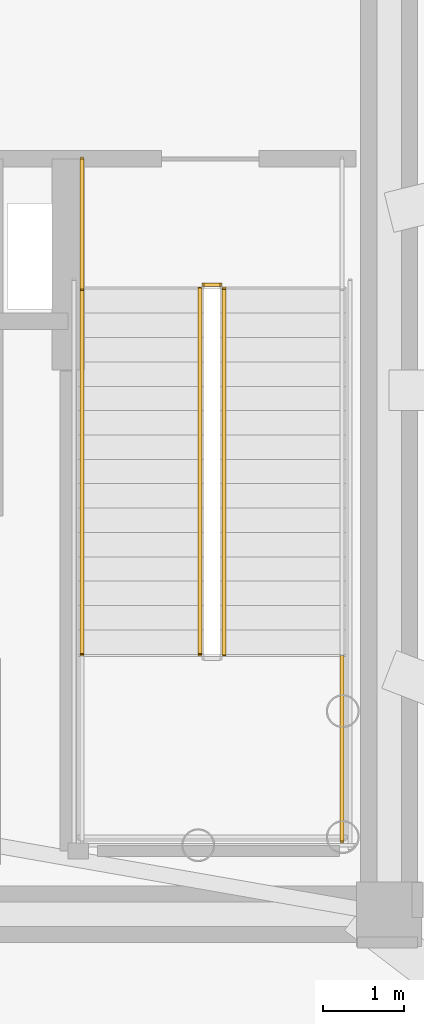
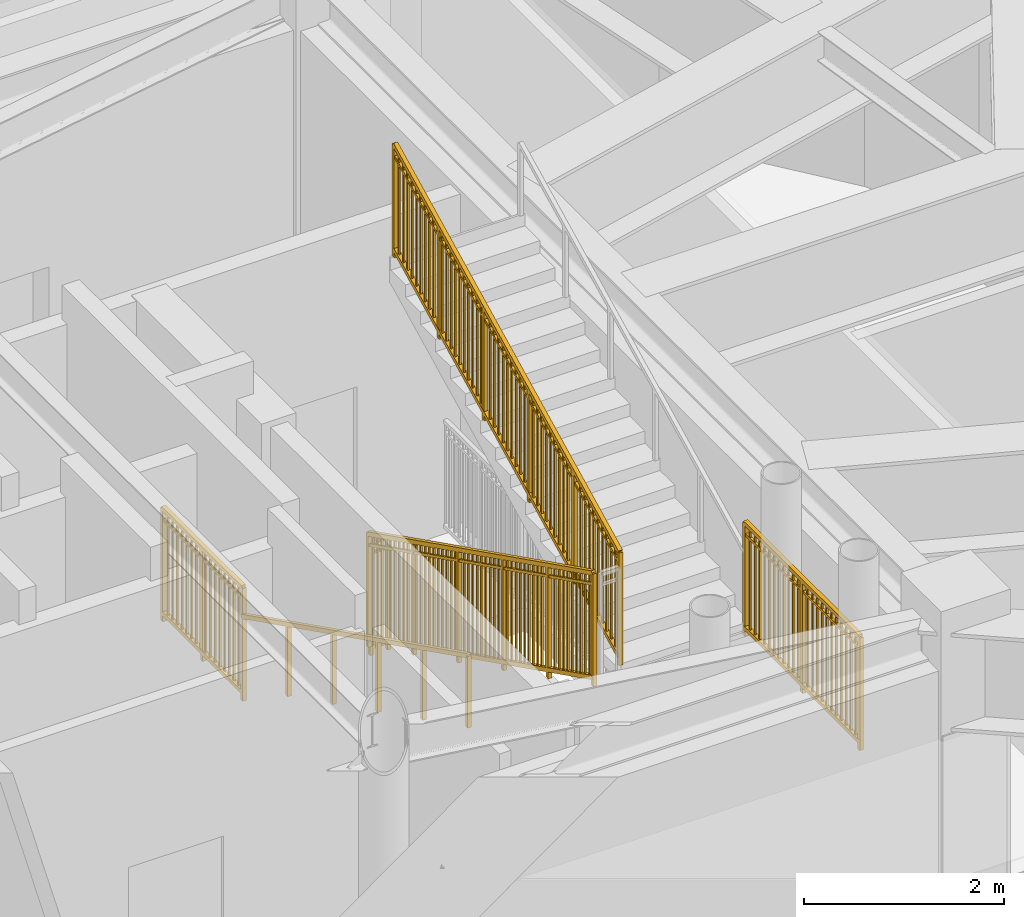
# One storey, part 9 of 11: 6 railings.
"""IFC4 building model written with IfcOpenShell, lengths in metres."""

import ifcopenshell
import ifcopenshell.guid

model = None  # the IFC model being written
_history = None  # IfcOwnerHistory: only IFC2X3 demands one
_inside = {}  # id of a spatial element -> (the spatial element, [elements in it])
_under = {}  # id of a project, library or spatial element -> (it, [spatial elements below it])
_declared = {}  # id of a project -> (the project, [libraries it declares])
_typed = {}  # id of a type object -> (the type object, [elements of that type])
_made_of = {}  # id of a material, layer set ... -> (it, [elements and type objects made of it])


def new_model(schema):
    """Start an empty IFC model of exactly this schema.

    Asked for "IFC4X3", IfcOpenShell would pick the latest addendum, in which some entities
    have other attributes; the version numbers below select the first issue.
    IFC2X3 requires an IfcOwnerHistory on every rooted entity: one is made here for all.
    """
    global model, _history
    if schema == "IFC4X3":
        model = ifcopenshell.file(schema_version=(4, 3, 0, 0))
    else:
        model = ifcopenshell.file(schema=schema)
    _inside.clear()
    _under.clear()
    _declared.clear()
    _typed.clear()
    _made_of.clear()
    _history = None
    if model.schema == "IFC2X3":
        org = make("IfcOrganization", Name="unknown")
        user = make(
            "IfcPersonAndOrganization",
            ThePerson=make("IfcPerson", FamilyName="unknown"),
            TheOrganization=org,
        )
        app = make(
            "IfcApplication",
            ApplicationDeveloper=org,
            Version="unknown",
            ApplicationFullName="unknown",
            ApplicationIdentifier="unknown",
        )
        _history = make(
            "IfcOwnerHistory",
            OwningUser=user,
            OwningApplication=app,
            ChangeAction="ADDED",
            CreationDate=0,
        )
    return model


def make(cls, **values):
    """One entity of the class cls with the attributes given. An attribute that is None is left unset."""
    return model.create_entity(
        cls, **{name: value for name, value in values.items() if value is not None}
    )


def rooted(cls, **values):
    """An entity with a GlobalId (a new one), such as an element, a storey or a relation."""
    return make(cls, GlobalId=ifcopenshell.guid.new(), OwnerHistory=_history, **values)


def si_unit(unit_type, name, prefix=None):
    """IfcSIUnit, for example si_unit("LENGTHUNIT", "METRE", prefix="MILLI")."""
    return make("IfcSIUnit", UnitType=unit_type, Prefix=prefix, Name=name)


def assignment(units):
    """IfcUnitAssignment: the units of a project."""
    return None if units is None else make("IfcUnitAssignment", Units=units)


def point(xyz):
    """IfcCartesianPoint."""
    return None if xyz is None else make("IfcCartesianPoint", Coordinates=xyz)


def direction(xyz):
    """IfcDirection."""
    return None if xyz is None else make("IfcDirection", DirectionRatios=xyz)


def frame(location, z_axis=None, x_axis=None):
    """IfcAxis2Placement3D, a coordinate frame: its origin and axes. An axis left out is left unset."""
    return make(
        "IfcAxis2Placement3D",
        Location=point(location),
        Axis=direction(z_axis),
        RefDirection=direction(x_axis),
    )


def frame_2d(location, x_axis=None):
    """IfcAxis2Placement2D, a coordinate frame in the plane: its origin and x axis."""
    return make(
        "IfcAxis2Placement2D", Location=point(location), RefDirection=direction(x_axis)
    )


def origin():
    """The frame at (0, 0, 0) with its axes left unset."""
    return frame((0.0, 0.0, 0.0))


def origin_2d():
    """The frame at (0, 0) in the plane with its x axis left unset."""
    return frame_2d((0.0, 0.0))


def place(relative_to, where):
    """IfcLocalPlacement: puts the frame where relative to a parent placement (None: the world)."""
    return make(
        "IfcLocalPlacement", PlacementRelTo=relative_to, RelativePlacement=where
    )


def context(
    kind, dimensions, precision=None, world=None, true_north=None, identifier=None
):
    """IfcGeometricRepresentationContext, for example the 3D "Model" context."""
    return make(
        "IfcGeometricRepresentationContext",
        ContextIdentifier=identifier,
        ContextType=kind,
        CoordinateSpaceDimension=dimensions,
        Precision=precision,
        WorldCoordinateSystem=world,
        TrueNorth=true_north,
    )


def subcontext(parent, identifier, kind, view, scale=None):
    """IfcGeometricRepresentationSubContext, for example "Body" below "Model"."""
    return make(
        "IfcGeometricRepresentationSubContext",
        ContextIdentifier=identifier,
        ContextType=kind,
        ParentContext=parent,
        TargetScale=scale,
        TargetView=view,
    )


def project(units=None, contexts=None):
    """IfcProject with its units and contexts."""
    return rooted(
        "IfcProject",
        Name="project",
        RepresentationContexts=contexts,
        UnitsInContext=assignment(units),
    )


def spatial(cls, under=None, at=None, **own):
    """A site, building, storey or space (cls), placed at a placement, below another one or the project."""
    s = rooted(cls, ObjectPlacement=at, **own)
    if under is not None:
        _under.setdefault(under.id(), (under, []))[1].append(s)
    return s


def profile(cls, at=None, kind="AREA", **sizes):
    """A parametric profile (cls). Its sizes go by their IFC names, for example OverallWidth=200.0."""
    return make(cls, ProfileType=kind, Position=at, **sizes)


def rectangle(**sizes):
    """IfcRectangleProfileDef."""
    return profile("IfcRectangleProfileDef", **sizes)


def extrude(swept, where, along, depth):
    """IfcExtrudedAreaSolid: the profile swept, set in the frame where, extruded along a direction by depth."""
    return make(
        "IfcExtrudedAreaSolid",
        SweptArea=swept,
        Position=where,
        ExtrudedDirection=direction(along),
        Depth=depth,
    )


def shape(context_of_items, identifier, shape_type, items):
    """IfcShapeRepresentation: the items that make up one representation, for example the "Body"."""
    return make(
        "IfcShapeRepresentation",
        ContextOfItems=context_of_items,
        RepresentationIdentifier=identifier,
        RepresentationType=shape_type,
        Items=items,
    )


def source(mapping_origin, context_of_items, identifier, shape_type, items):
    """IfcRepresentationMap: a shape defined once, which mapped items show again and again."""
    return make(
        "IfcRepresentationMap",
        MappingOrigin=mapping_origin,
        MappedRepresentation=shape(context_of_items, identifier, shape_type, items),
    )


def transform(
    local_origin,
    x_axis=None,
    y_axis=None,
    z_axis=None,
    scale=None,
    scale2=None,
    scale3=None,
    uniform=True,
):
    """IfcCartesianTransformationOperator3D, or its non-uniform kind. x_axis, y_axis, z_axis: its Axis1, 2, 3."""
    if uniform:
        return make(
            "IfcCartesianTransformationOperator3D",
            Axis1=direction(x_axis),
            Axis2=direction(y_axis),
            LocalOrigin=point(local_origin),
            Scale=scale,
            Axis3=direction(z_axis),
        )
    return make(
        "IfcCartesianTransformationOperator3DnonUniform",
        Axis1=direction(x_axis),
        Axis2=direction(y_axis),
        LocalOrigin=point(local_origin),
        Scale=scale,
        Axis3=direction(z_axis),
        Scale2=scale2,
        Scale3=scale3,
    )


def mapped(mapping_source, mapping_target):
    """IfcMappedItem: shows the shape of a source again, moved by a transform."""
    return make(
        "IfcMappedItem", MappingSource=mapping_source, MappingTarget=mapping_target
    )


def material(Name=None, Category=None):
    """IfcMaterial."""
    return make("IfcMaterial", Name=Name, Category=Category)


def made_of(thing, what):
    """Note that an element or type object is made of a material, layer set ...; save() writes the relation."""
    if what is not None:
        _made_of.setdefault(what.id(), (what, []))[1].append(thing)
    return thing


def type_object(cls, material=None, **own):
    """A type object (cls), such as IfcWallType, which elements share."""
    return made_of(rooted(cls, **own), material)


def element(
    cls,
    number,
    at=None,
    inside=None,
    cuts=None,
    type_object=None,
    material=None,
    context=None,
    identifier="Body",
    shape_type=None,
    held_by="IfcProductDefinitionShape",
    body=None,
    shapes=None,
    **own,
):
    """One element of the class cls, such as IfcWall. Its Tag is "e" and its number.

    at: its placement. inside: the storey or other place that contains it. cuts: it is an
    opening in that element (IfcRelVoidsElement). A single representation is given by context,
    identifier, shape_type and body (its items); several are given by shapes. held_by: the class
    of the entity that holds the representations. save() writes the other relations.
    """
    e = rooted(cls, Tag="e%d" % number, ObjectPlacement=at, **own)
    if body is not None:
        shapes = [shape(context, identifier, shape_type, body)]
    if shapes is not None:
        e.Representation = make(held_by, Representations=shapes)
    if inside is not None:
        _inside.setdefault(inside.id(), (inside, []))[1].append(e)
    if cuts is not None:
        rooted(
            "IfcRelVoidsElement", RelatingBuildingElement=cuts, RelatedOpeningElement=e
        )
    if type_object is not None:
        _typed.setdefault(type_object.id(), (type_object, []))[1].append(e)
    return made_of(e, material)


def aggregate(whole, parts):
    """IfcRelAggregates: a whole, such as a stair, and the parts it consists of."""
    return rooted("IfcRelAggregates", RelatingObject=whole, RelatedObjects=parts)


def save(model, path):
    """Write the relations noted so far, then the file.

    IfcRelAggregates (storeys below a building ...), IfcRelContainedInSpatialStructure (elements
    in a storey), IfcRelDefinesByType, IfcRelAssociatesMaterial and IfcRelDeclares: one each for
    every whole, place, type object, material and project.
    """
    for whole, parts in _under.values():
        aggregate(whole, parts)
    for where, things in _inside.values():
        rooted(
            "IfcRelContainedInSpatialStructure",
            RelatedElements=things,
            RelatingStructure=where,
        )
    for kind, things in _typed.values():
        rooted("IfcRelDefinesByType", RelatedObjects=things, RelatingType=kind)
    for what, things in _made_of.values():
        rooted("IfcRelAssociatesMaterial", RelatedObjects=things, RelatingMaterial=what)
    for by, libraries in _declared.values():
        rooted("IfcRelDeclares", RelatingContext=by, RelatedDefinitions=libraries)
    model.write(path)


model = new_model("IFC4")

# Units and contexts
model_context = context("Model", 3, precision=1e-05, world=origin(), true_north=direction((0.0, 1.0)))
body_context = subcontext(model_context, "Body", "Model", "MODEL_VIEW")
ifc_project = project(units=[si_unit("LENGTHUNIT", "METRE"), si_unit("AREAUNIT", "SQUARE_METRE"), si_unit("VOLUMEUNIT", "CUBIC_METRE"), si_unit("PLANEANGLEUNIT", "RADIAN"), si_unit("MASSUNIT", "GRAM", prefix="KILO")], contexts=[model_context])

# Site, building, storey
site_placement = place(None, origin())
site = spatial("IfcSite", under=ifc_project, at=site_placement, CompositionType="ELEMENT")
building_placement = place(site_placement, origin())
building = spatial("IfcBuilding", under=site, at=building_placement, Name="Linh Dai School and Residence Tower", CompositionType="ELEMENT")
storey_placement = place(building_placement, frame((0.0, 0.0, 363.60009765625)))
storey = spatial("IfcBuildingStorey", under=building, at=storey_placement, Name="L90", CompositionType="ELEMENT", Elevation=363.60009765625)

# Railings
ifc_material_1 = material(Name="Structural Steel S355JR", Category="steel")
railing_type_1 = type_object("IfcRailingType", Name="RL-ST-GUARD-1400", PredefinedType="GUARDRAIL", material=ifc_material_1)
shared_shape_1 = source(origin(), body_context, "Body", "SweptSolid", [
    extrude(rectangle(XDim=0.048095703125, YDim=0.048095703125, at=origin_2d()), frame((0.0, 0.0, 1.3759765625), z_axis=(0.0, 0.894427191, 0.4472135955), x_axis=(-1.0, 0.0, 0.0)), (0.0, 0.0, 1.0), 5.03125),
    extrude(rectangle(XDim=0.048095703125, YDim=0.048095703125, at=origin_2d()), frame((0.0, 0.0, 0.10009765625), z_axis=(0.0, 0.894427191, 0.4472135955), x_axis=(-1.0, 0.0, 0.0)), (0.0, 0.0, 1.0), 5.03125),
    extrude(rectangle(XDim=0.030029296875, YDim=0.030029296875, at=origin_2d()), frame((0.0, 0.0, 1.239990234375), z_axis=(0.0, 0.894427191, 0.4472135955), x_axis=(-1.0, 0.0, 0.0)), (0.0, 0.0, 1.0), 5.03125),
    extrude(rectangle(XDim=0.02001953125, YDim=0.02001953125, at=origin_2d()), frame((0.0, 0.08642578125, 0.143310546875)), (0.0, 0.0, 1.0), 1.251708984375),
    extrude(rectangle(XDim=0.02001953125, YDim=0.02001953125, at=origin_2d()), frame((0.0, 0.173095703125, 0.1865234375)), (0.0, 0.0, 1.0), 1.251708984375),
    extrude(rectangle(XDim=0.02001953125, YDim=0.02001953125, at=origin_2d()), frame((0.0, 0.259521484375, 0.22998046875)), (0.0, 0.0, 1.0), 1.251708984375),
    extrude(rectangle(XDim=0.02001953125, YDim=0.02001953125, at=origin_2d()), frame((0.0, 0.34619140625, 0.273193359375)), (0.0, 0.0, 1.0), 1.251708984375),
    extrude(rectangle(XDim=0.02001953125, YDim=0.02001953125, at=origin_2d()), frame((0.0, 0.4326171875, 0.31640625)), (0.0, 0.0, 1.0), 1.251708984375),
    extrude(rectangle(XDim=0.02001953125, YDim=0.02001953125, at=origin_2d()), frame((0.0, 0.519287109375, 0.359619140625)), (0.0, 0.0, 1.0), 1.251708984375),
    extrude(rectangle(XDim=0.02001953125, YDim=0.02001953125, at=origin_2d()), frame((0.0, 0.605712890625, 0.403076171875)), (0.0, 0.0, 1.0), 1.251708984375),
    extrude(rectangle(XDim=0.02001953125, YDim=0.02001953125, at=origin_2d()), frame((0.0, 0.6923828125, 0.4462890625)), (0.0, 0.0, 1.0), 1.251708984375),
    extrude(rectangle(XDim=0.02001953125, YDim=0.02001953125, at=origin_2d()), frame((0.0, 0.77880859375, 0.489501953125)), (0.0, 0.0, 1.0), 1.251708984375),
    extrude(rectangle(XDim=0.02001953125, YDim=0.02001953125, at=origin_2d()), frame((0.0, 0.951904296875, 0.576171875)), (0.0, 0.0, 1.0), 1.251708984375),
    extrude(rectangle(XDim=0.02001953125, YDim=0.02001953125, at=origin_2d()), frame((0.0, 1.03857421875, 0.619384765625)), (0.0, 0.0, 1.0), 1.251708984375),
    extrude(rectangle(XDim=0.02001953125, YDim=0.02001953125, at=origin_2d()), frame((0.0, 1.125, 0.66259765625)), (0.0, 0.0, 1.0), 1.251708984375),
    extrude(rectangle(XDim=0.02001953125, YDim=0.02001953125, at=origin_2d()), frame((0.0, 1.21142578125, 0.705810546875)), (0.0, 0.0, 1.0), 1.251708984375),
    extrude(rectangle(XDim=0.02001953125, YDim=0.02001953125, at=origin_2d()), frame((0.0, 1.298095703125, 0.7490234375)), (0.0, 0.0, 1.0), 1.251708984375),
    extrude(rectangle(XDim=0.02001953125, YDim=0.02001953125, at=origin_2d()), frame((0.0, 1.384521484375, 0.79248046875)), (0.0, 0.0, 1.0), 1.251708984375),
    extrude(rectangle(XDim=0.02001953125, YDim=0.02001953125, at=origin_2d()), frame((0.0, 1.47119140625, 0.835693359375)), (0.0, 0.0, 1.0), 1.251708984375),
    extrude(rectangle(XDim=0.02001953125, YDim=0.02001953125, at=origin_2d()), frame((0.0, 1.5576171875, 0.87890625)), (0.0, 0.0, 1.0), 1.251708984375),
    extrude(rectangle(XDim=0.02001953125, YDim=0.02001953125, at=origin_2d()), frame((0.0, 1.644287109375, 0.922119140625)), (0.0, 0.0, 1.0), 1.251708984375),
    extrude(rectangle(XDim=0.02001953125, YDim=0.02001953125, at=origin_2d()), frame((0.0, 1.730712890625, 0.965576171875)), (0.0, 0.0, 1.0), 1.251708984375),
    extrude(rectangle(XDim=0.02001953125, YDim=0.02001953125, at=origin_2d()), frame((0.0, 1.90380859375, 1.052001953125)), (0.0, 0.0, 1.0), 1.251708984375),
    extrude(rectangle(XDim=0.02001953125, YDim=0.02001953125, at=origin_2d()), frame((0.0, 1.990478515625, 1.09521484375)), (0.0, 0.0, 1.0), 1.251708984375),
    extrude(rectangle(XDim=0.02001953125, YDim=0.02001953125, at=origin_2d()), frame((0.0, 2.076904296875, 1.138671875)), (0.0, 0.0, 1.0), 1.251708984375),
    extrude(rectangle(XDim=0.02001953125, YDim=0.02001953125, at=origin_2d()), frame((0.0, 2.16357421875, 1.181884765625)), (0.0, 0.0, 1.0), 1.251708984375),
    extrude(rectangle(XDim=0.02001953125, YDim=0.02001953125, at=origin_2d()), frame((0.0, 2.25, 1.22509765625)), (0.0, 0.0, 1.0), 1.251708984375),
    extrude(rectangle(XDim=0.02001953125, YDim=0.02001953125, at=origin_2d()), frame((0.0, 2.33642578125, 1.268310546875)), (0.0, 0.0, 1.0), 1.251708984375),
    extrude(rectangle(XDim=0.02001953125, YDim=0.02001953125, at=origin_2d()), frame((0.0, 2.423095703125, 1.3115234375)), (0.0, 0.0, 1.0), 1.251708984375),
    extrude(rectangle(XDim=0.02001953125, YDim=0.02001953125, at=origin_2d()), frame((0.0, 2.509521484375, 1.35498046875)), (0.0, 0.0, 1.0), 1.251708984375),
    extrude(rectangle(XDim=0.02001953125, YDim=0.02001953125, at=origin_2d()), frame((0.0, 2.59619140625, 1.398193359375)), (0.0, 0.0, 1.0), 1.251708984375),
    extrude(rectangle(XDim=0.02001953125, YDim=0.02001953125, at=origin_2d()), frame((0.0, 2.769287109375, 1.484619140625)), (0.0, 0.0, 1.0), 1.251708984375),
    extrude(rectangle(XDim=0.02001953125, YDim=0.02001953125, at=origin_2d()), frame((0.0, 2.855712890625, 1.528076171875)), (0.0, 0.0, 1.0), 1.251708984375),
    extrude(rectangle(XDim=0.02001953125, YDim=0.02001953125, at=origin_2d()), frame((0.0, 2.9423828125, 1.5712890625)), (0.0, 0.0, 1.0), 1.251708984375),
    extrude(rectangle(XDim=0.02001953125, YDim=0.02001953125, at=origin_2d()), frame((0.0, 3.02880859375, 1.614501953125)), (0.0, 0.0, 1.0), 1.251708984375),
    extrude(rectangle(XDim=0.02001953125, YDim=0.02001953125, at=origin_2d()), frame((0.0, 3.115478515625, 1.65771484375)), (0.0, 0.0, 1.0), 1.251708984375),
    extrude(rectangle(XDim=0.02001953125, YDim=0.02001953125, at=origin_2d()), frame((0.0, 3.201904296875, 1.701171875)), (0.0, 0.0, 1.0), 1.251708984375),
    extrude(rectangle(XDim=0.02001953125, YDim=0.02001953125, at=origin_2d()), frame((0.0, 3.28857421875, 1.744384765625)), (0.0, 0.0, 1.0), 1.251708984375),
    extrude(rectangle(XDim=0.02001953125, YDim=0.02001953125, at=origin_2d()), frame((0.0, 3.375, 1.78759765625)), (0.0, 0.0, 1.0), 1.251708984375),
    extrude(rectangle(XDim=0.02001953125, YDim=0.02001953125, at=origin_2d()), frame((0.0, 3.46142578125, 1.830810546875)), (0.0, 0.0, 1.0), 1.251708984375),
    extrude(rectangle(XDim=0.02001953125, YDim=0.02001953125, at=origin_2d()), frame((0.0, 3.548095703125, 1.8740234375)), (0.0, 0.0, 1.0), 1.251708984375),
    extrude(rectangle(XDim=0.02001953125, YDim=0.02001953125, at=origin_2d()), frame((0.0, 3.72119140625, 1.960693359375)), (0.0, 0.0, 1.0), 1.251708984375),
    extrude(rectangle(XDim=0.02001953125, YDim=0.02001953125, at=origin_2d()), frame((0.0, 3.8076171875, 2.00390625)), (0.0, 0.0, 1.0), 1.251708984375),
    extrude(rectangle(XDim=0.02001953125, YDim=0.02001953125, at=origin_2d()), frame((0.0, 3.894287109375, 2.047119140625)), (0.0, 0.0, 1.0), 1.251708984375),
    extrude(rectangle(XDim=0.02001953125, YDim=0.02001953125, at=origin_2d()), frame((0.0, 3.980712890625, 2.090576171875)), (0.0, 0.0, 1.0), 1.251708984375),
    extrude(rectangle(XDim=0.02001953125, YDim=0.02001953125, at=origin_2d()), frame((0.0, 4.0673828125, 2.1337890625)), (0.0, 0.0, 1.0), 1.251708984375),
    extrude(rectangle(XDim=0.02001953125, YDim=0.02001953125, at=origin_2d()), frame((0.0, 4.15380859375, 2.177001953125)), (0.0, 0.0, 1.0), 1.251708984375),
    extrude(rectangle(XDim=0.02001953125, YDim=0.02001953125, at=origin_2d()), frame((0.0, 4.240478515625, 2.22021484375)), (0.0, 0.0, 1.0), 1.251708984375),
    extrude(rectangle(XDim=0.02001953125, YDim=0.02001953125, at=origin_2d()), frame((0.0, 4.326904296875, 2.263671875)), (0.0, 0.0, 1.0), 1.251708984375),
    extrude(rectangle(XDim=0.02001953125, YDim=0.02001953125, at=origin_2d()), frame((0.0, 4.41357421875, 2.306884765625)), (0.0, 0.0, 1.0), 1.251708984375),
    extrude(rectangle(XDim=0.0419921875, YDim=0.0419921875, at=origin_2d()), origin(), (0.0, 0.0, 1.0), 1.3759765625),
    extrude(rectangle(XDim=0.0419921875, YDim=0.0419921875, at=origin_2d()), frame((0.0, 0.89990234375, 0.449951171875)), (0.0, 0.0, 1.0), 1.3759765625),
    extrude(rectangle(XDim=0.0419921875, YDim=0.0419921875, at=origin_2d()), frame((0.0, 1.800048828125, 0.89990234375)), (0.0, 0.0, 1.0), 1.3759765625),
    extrude(rectangle(XDim=0.0419921875, YDim=0.0419921875, at=origin_2d()), frame((0.0, 2.699951171875, 1.35009765625)), (0.0, 0.0, 1.0), 1.3759765625),
    extrude(rectangle(XDim=0.0419921875, YDim=0.0419921875, at=origin_2d()), frame((0.0, 3.60009765625, 1.800048828125)), (0.0, 0.0, 1.0), 1.3759765625),
    extrude(rectangle(XDim=0.0419921875, YDim=0.0419921875, at=origin_2d()), frame((0.0, 4.5, 2.25)), (0.0, 0.0, 1.0), 1.3759765625),
])
railing_1_placement = place(storey_placement, frame((42.820068359375, 23.75, 2.5498046875)))
element("IfcRailing", 1, at=railing_1_placement, inside=storey, type_object=railing_type_1, Name="L90 ST2 stair guard 6", PredefinedType="GUARDRAIL", context=body_context, shape_type="MappedRepresentation", body=[
    mapped(shared_shape_1, transform((0.0, 0.0, 0.0), x_axis=(1.0, 0.0, 0.0), y_axis=(0.0, 1.0, 0.0), z_axis=(0.0, 0.0, 1.0), scale=1.0)),
])
shared_shape_2 = source(origin(), body_context, "Body", "SweptSolid", [
    extrude(rectangle(XDim=0.048095703125, YDim=0.048095703125, at=origin_2d()), frame((0.0, 0.0, 1.3759765625), z_axis=(0.0, -0.894427191, 0.4472135955), x_axis=(1.0, 0.0, 0.0)), (0.0, 0.0, 1.0), 5.03125),
    extrude(rectangle(XDim=0.048095703125, YDim=0.048095703125, at=origin_2d()), frame((0.0, 0.0, 0.10009765625), z_axis=(0.0, -0.894427191, 0.4472135955), x_axis=(1.0, 0.0, 0.0)), (0.0, 0.0, 1.0), 5.03125),
    extrude(rectangle(XDim=0.030029296875, YDim=0.030029296875, at=origin_2d()), frame((0.0, 0.0, 1.239990234375), z_axis=(0.0, -0.894427191, 0.4472135955), x_axis=(1.0, 0.0, 0.0)), (0.0, 0.0, 1.0), 5.03125),
    extrude(rectangle(XDim=0.02001953125, YDim=0.02001953125, at=origin_2d()), frame((0.0, -0.08642578125, 0.143310546875)), (0.0, 0.0, 1.0), 1.251708984375),
    extrude(rectangle(XDim=0.02001953125, YDim=0.02001953125, at=origin_2d()), frame((0.0, -0.173095703125, 0.1865234375)), (0.0, 0.0, 1.0), 1.251708984375),
    extrude(rectangle(XDim=0.02001953125, YDim=0.02001953125, at=origin_2d()), frame((0.0, -0.259521484375, 0.22998046875)), (0.0, 0.0, 1.0), 1.251708984375),
    extrude(rectangle(XDim=0.02001953125, YDim=0.02001953125, at=origin_2d()), frame((0.0, -0.34619140625, 0.273193359375)), (0.0, 0.0, 1.0), 1.251708984375),
    extrude(rectangle(XDim=0.02001953125, YDim=0.02001953125, at=origin_2d()), frame((0.0, -0.4326171875, 0.31640625)), (0.0, 0.0, 1.0), 1.251708984375),
    extrude(rectangle(XDim=0.02001953125, YDim=0.02001953125, at=origin_2d()), frame((0.0, -0.519287109375, 0.359619140625)), (0.0, 0.0, 1.0), 1.251708984375),
    extrude(rectangle(XDim=0.02001953125, YDim=0.02001953125, at=origin_2d()), frame((0.0, -0.605712890625, 0.403076171875)), (0.0, 0.0, 1.0), 1.251708984375),
    extrude(rectangle(XDim=0.02001953125, YDim=0.02001953125, at=origin_2d()), frame((0.0, -0.6923828125, 0.4462890625)), (0.0, 0.0, 1.0), 1.251708984375),
    extrude(rectangle(XDim=0.02001953125, YDim=0.02001953125, at=origin_2d()), frame((0.0, -0.77880859375, 0.489501953125)), (0.0, 0.0, 1.0), 1.251708984375),
    extrude(rectangle(XDim=0.02001953125, YDim=0.02001953125, at=origin_2d()), frame((0.0, -0.951904296875, 0.576171875)), (0.0, 0.0, 1.0), 1.251708984375),
    extrude(rectangle(XDim=0.02001953125, YDim=0.02001953125, at=origin_2d()), frame((0.0, -1.03857421875, 0.619384765625)), (0.0, 0.0, 1.0), 1.251708984375),
    extrude(rectangle(XDim=0.02001953125, YDim=0.02001953125, at=origin_2d()), frame((0.0, -1.125, 0.66259765625)), (0.0, 0.0, 1.0), 1.251708984375),
    extrude(rectangle(XDim=0.02001953125, YDim=0.02001953125, at=origin_2d()), frame((0.0, -1.21142578125, 0.705810546875)), (0.0, 0.0, 1.0), 1.251708984375),
    extrude(rectangle(XDim=0.02001953125, YDim=0.02001953125, at=origin_2d()), frame((0.0, -1.298095703125, 0.7490234375)), (0.0, 0.0, 1.0), 1.251708984375),
    extrude(rectangle(XDim=0.02001953125, YDim=0.02001953125, at=origin_2d()), frame((0.0, -1.384521484375, 0.79248046875)), (0.0, 0.0, 1.0), 1.251708984375),
    extrude(rectangle(XDim=0.02001953125, YDim=0.02001953125, at=origin_2d()), frame((0.0, -1.47119140625, 0.835693359375)), (0.0, 0.0, 1.0), 1.251708984375),
    extrude(rectangle(XDim=0.02001953125, YDim=0.02001953125, at=origin_2d()), frame((0.0, -1.5576171875, 0.87890625)), (0.0, 0.0, 1.0), 1.251708984375),
    extrude(rectangle(XDim=0.02001953125, YDim=0.02001953125, at=origin_2d()), frame((0.0, -1.644287109375, 0.922119140625)), (0.0, 0.0, 1.0), 1.251708984375),
    extrude(rectangle(XDim=0.02001953125, YDim=0.02001953125, at=origin_2d()), frame((0.0, -1.730712890625, 0.965576171875)), (0.0, 0.0, 1.0), 1.251708984375),
    extrude(rectangle(XDim=0.02001953125, YDim=0.02001953125, at=origin_2d()), frame((0.0, -1.90380859375, 1.052001953125)), (0.0, 0.0, 1.0), 1.251708984375),
    extrude(rectangle(XDim=0.02001953125, YDim=0.02001953125, at=origin_2d()), frame((0.0, -1.990478515625, 1.09521484375)), (0.0, 0.0, 1.0), 1.251708984375),
    extrude(rectangle(XDim=0.02001953125, YDim=0.02001953125, at=origin_2d()), frame((0.0, -2.076904296875, 1.138671875)), (0.0, 0.0, 1.0), 1.251708984375),
    extrude(rectangle(XDim=0.02001953125, YDim=0.02001953125, at=origin_2d()), frame((0.0, -2.16357421875, 1.181884765625)), (0.0, 0.0, 1.0), 1.251708984375),
    extrude(rectangle(XDim=0.02001953125, YDim=0.02001953125, at=origin_2d()), frame((0.0, -2.25, 1.22509765625)), (0.0, 0.0, 1.0), 1.251708984375),
    extrude(rectangle(XDim=0.02001953125, YDim=0.02001953125, at=origin_2d()), frame((0.0, -2.33642578125, 1.268310546875)), (0.0, 0.0, 1.0), 1.251708984375),
    extrude(rectangle(XDim=0.02001953125, YDim=0.02001953125, at=origin_2d()), frame((0.0, -2.423095703125, 1.3115234375)), (0.0, 0.0, 1.0), 1.251708984375),
    extrude(rectangle(XDim=0.02001953125, YDim=0.02001953125, at=origin_2d()), frame((0.0, -2.509521484375, 1.35498046875)), (0.0, 0.0, 1.0), 1.251708984375),
    extrude(rectangle(XDim=0.02001953125, YDim=0.02001953125, at=origin_2d()), frame((0.0, -2.59619140625, 1.398193359375)), (0.0, 0.0, 1.0), 1.251708984375),
    extrude(rectangle(XDim=0.02001953125, YDim=0.02001953125, at=origin_2d()), frame((0.0, -2.769287109375, 1.484619140625)), (0.0, 0.0, 1.0), 1.251708984375),
    extrude(rectangle(XDim=0.02001953125, YDim=0.02001953125, at=origin_2d()), frame((0.0, -2.855712890625, 1.528076171875)), (0.0, 0.0, 1.0), 1.251708984375),
    extrude(rectangle(XDim=0.02001953125, YDim=0.02001953125, at=origin_2d()), frame((0.0, -2.9423828125, 1.5712890625)), (0.0, 0.0, 1.0), 1.251708984375),
    extrude(rectangle(XDim=0.02001953125, YDim=0.02001953125, at=origin_2d()), frame((0.0, -3.02880859375, 1.614501953125)), (0.0, 0.0, 1.0), 1.251708984375),
    extrude(rectangle(XDim=0.02001953125, YDim=0.02001953125, at=origin_2d()), frame((0.0, -3.115478515625, 1.65771484375)), (0.0, 0.0, 1.0), 1.251708984375),
    extrude(rectangle(XDim=0.02001953125, YDim=0.02001953125, at=origin_2d()), frame((0.0, -3.201904296875, 1.701171875)), (0.0, 0.0, 1.0), 1.251708984375),
    extrude(rectangle(XDim=0.02001953125, YDim=0.02001953125, at=origin_2d()), frame((0.0, -3.28857421875, 1.744384765625)), (0.0, 0.0, 1.0), 1.251708984375),
    extrude(rectangle(XDim=0.02001953125, YDim=0.02001953125, at=origin_2d()), frame((0.0, -3.375, 1.78759765625)), (0.0, 0.0, 1.0), 1.251708984375),
    extrude(rectangle(XDim=0.02001953125, YDim=0.02001953125, at=origin_2d()), frame((0.0, -3.46142578125, 1.830810546875)), (0.0, 0.0, 1.0), 1.251708984375),
    extrude(rectangle(XDim=0.02001953125, YDim=0.02001953125, at=origin_2d()), frame((0.0, -3.548095703125, 1.8740234375)), (0.0, 0.0, 1.0), 1.251708984375),
    extrude(rectangle(XDim=0.02001953125, YDim=0.02001953125, at=origin_2d()), frame((0.0, -3.72119140625, 1.960693359375)), (0.0, 0.0, 1.0), 1.251708984375),
    extrude(rectangle(XDim=0.02001953125, YDim=0.02001953125, at=origin_2d()), frame((0.0, -3.8076171875, 2.00390625)), (0.0, 0.0, 1.0), 1.251708984375),
    extrude(rectangle(XDim=0.02001953125, YDim=0.02001953125, at=origin_2d()), frame((0.0, -3.894287109375, 2.047119140625)), (0.0, 0.0, 1.0), 1.251708984375),
    extrude(rectangle(XDim=0.02001953125, YDim=0.02001953125, at=origin_2d()), frame((0.0, -3.980712890625, 2.090576171875)), (0.0, 0.0, 1.0), 1.251708984375),
    extrude(rectangle(XDim=0.02001953125, YDim=0.02001953125, at=origin_2d()), frame((0.0, -4.0673828125, 2.1337890625)), (0.0, 0.0, 1.0), 1.251708984375),
    extrude(rectangle(XDim=0.02001953125, YDim=0.02001953125, at=origin_2d()), frame((0.0, -4.15380859375, 2.177001953125)), (0.0, 0.0, 1.0), 1.251708984375),
    extrude(rectangle(XDim=0.02001953125, YDim=0.02001953125, at=origin_2d()), frame((0.0, -4.240478515625, 2.22021484375)), (0.0, 0.0, 1.0), 1.251708984375),
    extrude(rectangle(XDim=0.02001953125, YDim=0.02001953125, at=origin_2d()), frame((0.0, -4.326904296875, 2.263671875)), (0.0, 0.0, 1.0), 1.251708984375),
    extrude(rectangle(XDim=0.02001953125, YDim=0.02001953125, at=origin_2d()), frame((0.0, -4.41357421875, 2.306884765625)), (0.0, 0.0, 1.0), 1.251708984375),
    extrude(rectangle(XDim=0.0419921875, YDim=0.0419921875, at=origin_2d()), origin(), (0.0, 0.0, 1.0), 1.3759765625),
    extrude(rectangle(XDim=0.0419921875, YDim=0.0419921875, at=origin_2d()), frame((0.0, -0.89990234375, 0.449951171875)), (0.0, 0.0, 1.0), 1.3759765625),
    extrude(rectangle(XDim=0.0419921875, YDim=0.0419921875, at=origin_2d()), frame((0.0, -1.800048828125, 0.89990234375)), (0.0, 0.0, 1.0), 1.3759765625),
    extrude(rectangle(XDim=0.0419921875, YDim=0.0419921875, at=origin_2d()), frame((0.0, -2.699951171875, 1.35009765625)), (0.0, 0.0, 1.0), 1.3759765625),
    extrude(rectangle(XDim=0.0419921875, YDim=0.0419921875, at=origin_2d()), frame((0.0, -3.60009765625, 1.800048828125)), (0.0, 0.0, 1.0), 1.3759765625),
    extrude(rectangle(XDim=0.0419921875, YDim=0.0419921875, at=origin_2d()), frame((0.0, -4.5, 2.25)), (0.0, 0.0, 1.0), 1.3759765625),
])
railing_2_placement = place(storey_placement, frame((42.52001953125, 28.25, 0.14990234375)))
element("IfcRailing", 2, at=railing_2_placement, inside=storey, type_object=railing_type_1, Name="L90 ST2 stair guard 1", PredefinedType="GUARDRAIL", context=body_context, shape_type="MappedRepresentation", body=[
    mapped(shared_shape_2, transform((0.0, 0.0, 0.0), x_axis=(1.0, 0.0, 0.0), y_axis=(0.0, 1.0, 0.0), z_axis=(0.0, 0.0, 1.0), scale=1.0)),
])
ifc_material_2 = material(Name="Brushed Stainless Steel Handrail", Category="steel")
railing_type_2 = type_object("IfcRailingType", Name="RL-ST-HANDRAIL-900", PredefinedType="HANDRAIL", material=ifc_material_2)
shared_shape_3 = source(origin(), body_context, "Body", "SweptSolid", [
    extrude(rectangle(XDim=0.048095703125, YDim=0.048095703125, at=origin_2d()), frame((0.0, 0.0, 0.8759765625), z_axis=(0.0, -0.894427191, 0.4472135955), x_axis=(1.0, 0.0, 0.0)), (0.0, 0.0, 1.0), 5.03125),
    extrude(rectangle(XDim=0.0419921875, YDim=0.0419921875, at=origin_2d()), origin(), (0.0, 0.0, 1.0), 0.8759765625),
    extrude(rectangle(XDim=0.0419921875, YDim=0.0419921875, at=origin_2d()), frame((0.0, -0.89990234375, 0.449951171875)), (0.0, 0.0, 1.0), 0.8759765625),
    extrude(rectangle(XDim=0.0419921875, YDim=0.0419921875, at=origin_2d()), frame((0.0, -1.800048828125, 0.89990234375)), (0.0, 0.0, 1.0), 0.8759765625),
    extrude(rectangle(XDim=0.0419921875, YDim=0.0419921875, at=origin_2d()), frame((0.0, -2.699951171875, 1.35009765625)), (0.0, 0.0, 1.0), 0.8759765625),
    extrude(rectangle(XDim=0.0419921875, YDim=0.0419921875, at=origin_2d()), frame((0.0, -3.60009765625, 1.800048828125)), (0.0, 0.0, 1.0), 0.8759765625),
    extrude(rectangle(XDim=0.0419921875, YDim=0.0419921875, at=origin_2d()), frame((0.0, -4.5, 2.25)), (0.0, 0.0, 1.0), 0.8759765625),
])
railing_3_placement = place(storey_placement, frame((41.070068359375, 28.25, 0.14990234375)))
element("IfcRailing", 3, at=railing_3_placement, inside=storey, type_object=railing_type_2, Name="L90 ST2 stair handrail 1", PredefinedType="HANDRAIL", context=body_context, shape_type="MappedRepresentation", body=[
    mapped(shared_shape_3, transform((0.0, 0.0, 0.0), x_axis=(1.0, 0.0, 0.0), y_axis=(0.0, 1.0, 0.0), z_axis=(0.0, 0.0, 1.0), scale=1.0)),
])
shared_shape_4 = source(origin(), body_context, "Body", "SweptSolid", [
    extrude(rectangle(XDim=0.048095703125, YDim=0.048095703125, at=origin_2d()), frame((0.0, 0.0, 1.3759765625), z_axis=(1.0, 0.0, 0.0), x_axis=(0.0, 1.0, 0.0)), (0.0, 0.0, 1.0), 0.199951171875),
    extrude(rectangle(XDim=0.048095703125, YDim=0.048095703125, at=origin_2d()), frame((0.0, 0.0, 0.10009765625), z_axis=(1.0, 0.0, 0.0), x_axis=(0.0, 1.0, 0.0)), (0.0, 0.0, 1.0), 0.199951171875),
    extrude(rectangle(XDim=0.030029296875, YDim=0.030029296875, at=origin_2d()), frame((0.0, 0.0, 1.239990234375), z_axis=(1.0, 0.0, 0.0), x_axis=(0.0, 1.0, 0.0)), (0.0, 0.0, 1.0), 0.199951171875),
    extrude(rectangle(XDim=0.0419921875, YDim=0.0419921875, at=origin_2d()), origin(), (0.0, 0.0, 1.0), 1.3759765625),
    extrude(rectangle(XDim=0.0419921875, YDim=0.0419921875, at=origin_2d()), frame((0.199951171875, 0.0, 0.0)), (0.0, 0.0, 1.0), 1.3759765625),
])
railing_4_placement = place(storey_placement, frame((42.570068359375, 28.300048828125, 0.0)))
element("IfcRailing", 4, at=railing_4_placement, inside=storey, type_object=railing_type_1, Name="L90 ST2 stair guard 7", PredefinedType="GUARDRAIL", context=body_context, shape_type="MappedRepresentation", body=[
    mapped(shared_shape_4, transform((0.0, 0.0, 0.0), x_axis=(1.0, 0.0, 0.0), y_axis=(0.0, 1.0, 0.0), z_axis=(0.0, 0.0, 1.0), scale=1.0)),
])
shared_shape_5 = source(origin(), body_context, "Body", "SweptSolid", [
    extrude(rectangle(XDim=0.048095703125, YDim=0.048095703125, at=origin_2d()), frame((0.0, 0.0, 1.3759765625), z_axis=(0.0, -1.0, 0.0), x_axis=(1.0, 0.0, 0.0)), (0.0, 0.0, 1.0), 1.60009765625),
    extrude(rectangle(XDim=0.048095703125, YDim=0.048095703125, at=origin_2d()), frame((0.0, 0.0, 0.10009765625), z_axis=(0.0, -1.0, 0.0), x_axis=(1.0, 0.0, 0.0)), (0.0, 0.0, 1.0), 1.60009765625),
    extrude(rectangle(XDim=0.030029296875, YDim=0.030029296875, at=origin_2d()), frame((0.0, 0.0, 1.239990234375), z_axis=(0.0, -1.0, 0.0), x_axis=(1.0, 0.0, 0.0)), (0.0, 0.0, 1.0), 1.60009765625),
    extrude(rectangle(XDim=0.02001953125, YDim=0.02001953125, at=origin_2d()), frame((0.0, -0.09423828125, 0.10009765625)), (0.0, 0.0, 1.0), 1.251708984375),
    extrude(rectangle(XDim=0.02001953125, YDim=0.02001953125, at=origin_2d()), frame((0.0, -0.188232421875, 0.10009765625)), (0.0, 0.0, 1.0), 1.251708984375),
    extrude(rectangle(XDim=0.02001953125, YDim=0.02001953125, at=origin_2d()), frame((0.0, -0.282470703125, 0.10009765625)), (0.0, 0.0, 1.0), 1.251708984375),
    extrude(rectangle(XDim=0.02001953125, YDim=0.02001953125, at=origin_2d()), frame((0.0, -0.37646484375, 0.10009765625)), (0.0, 0.0, 1.0), 1.251708984375),
    extrude(rectangle(XDim=0.02001953125, YDim=0.02001953125, at=origin_2d()), frame((0.0, -0.470703125, 0.10009765625)), (0.0, 0.0, 1.0), 1.251708984375),
    extrude(rectangle(XDim=0.02001953125, YDim=0.02001953125, at=origin_2d()), frame((0.0, -0.564697265625, 0.10009765625)), (0.0, 0.0, 1.0), 1.251708984375),
    extrude(rectangle(XDim=0.02001953125, YDim=0.02001953125, at=origin_2d()), frame((0.0, -0.658935546875, 0.10009765625)), (0.0, 0.0, 1.0), 1.251708984375),
    extrude(rectangle(XDim=0.02001953125, YDim=0.02001953125, at=origin_2d()), frame((0.0, -0.7529296875, 0.10009765625)), (0.0, 0.0, 1.0), 1.251708984375),
    extrude(rectangle(XDim=0.02001953125, YDim=0.02001953125, at=origin_2d()), frame((0.0, -0.84716796875, 0.10009765625)), (0.0, 0.0, 1.0), 1.251708984375),
    extrude(rectangle(XDim=0.02001953125, YDim=0.02001953125, at=origin_2d()), frame((0.0, -0.941162109375, 0.10009765625)), (0.0, 0.0, 1.0), 1.251708984375),
    extrude(rectangle(XDim=0.02001953125, YDim=0.02001953125, at=origin_2d()), frame((0.0, -1.035400390625, 0.10009765625)), (0.0, 0.0, 1.0), 1.251708984375),
    extrude(rectangle(XDim=0.02001953125, YDim=0.02001953125, at=origin_2d()), frame((0.0, -1.12939453125, 0.10009765625)), (0.0, 0.0, 1.0), 1.251708984375),
    extrude(rectangle(XDim=0.02001953125, YDim=0.02001953125, at=origin_2d()), frame((0.0, -1.2236328125, 0.10009765625)), (0.0, 0.0, 1.0), 1.251708984375),
    extrude(rectangle(XDim=0.02001953125, YDim=0.02001953125, at=origin_2d()), frame((0.0, -1.317626953125, 0.10009765625)), (0.0, 0.0, 1.0), 1.251708984375),
    extrude(rectangle(XDim=0.02001953125, YDim=0.02001953125, at=origin_2d()), frame((0.0, -1.411865234375, 0.10009765625)), (0.0, 0.0, 1.0), 1.251708984375),
    extrude(rectangle(XDim=0.02001953125, YDim=0.02001953125, at=origin_2d()), frame((0.0, -1.505859375, 0.10009765625)), (0.0, 0.0, 1.0), 1.251708984375),
    extrude(rectangle(XDim=0.0419921875, YDim=0.0419921875, at=origin_2d()), origin(), (0.0, 0.0, 1.0), 1.3759765625),
    extrude(rectangle(XDim=0.0419921875, YDim=0.0419921875, at=origin_2d()), frame((0.0, -0.800048828125, 0.0)), (0.0, 0.0, 1.0), 1.3759765625),
    extrude(rectangle(XDim=0.0419921875, YDim=0.0419921875, at=origin_2d()), frame((0.0, -1.60009765625, 0.0)), (0.0, 0.0, 1.0), 1.3759765625),
])
railing_5_placement = place(storey_placement, frame((41.070068359375, 29.85009765625, 0.0)))
element("IfcRailing", 5, at=railing_5_placement, inside=storey, type_object=railing_type_1, Name="L90 ST2 stair guard 8", PredefinedType="GUARDRAIL", context=body_context, shape_type="MappedRepresentation", body=[
    mapped(shared_shape_5, transform((0.0, 0.0, 0.0), x_axis=(1.0, 0.0, 0.0), y_axis=(0.0, 1.0, 0.0), z_axis=(0.0, 0.0, 1.0), scale=1.0)),
])
shared_shape_6 = source(origin(), body_context, "Body", "SweptSolid", [
    extrude(rectangle(XDim=0.048095703125, YDim=0.048095703125, at=origin_2d()), frame((0.0, 0.0, 1.3759765625), z_axis=(0.0, -1.0, 0.0), x_axis=(1.0, 0.0, 0.0)), (0.0, 0.0, 1.0), 2.300048828125),
    extrude(rectangle(XDim=0.048095703125, YDim=0.048095703125, at=origin_2d()), frame((0.0, 0.0, 0.10009765625), z_axis=(0.0, -1.0, 0.0), x_axis=(1.0, 0.0, 0.0)), (0.0, 0.0, 1.0), 2.300048828125),
    extrude(rectangle(XDim=0.030029296875, YDim=0.030029296875, at=origin_2d()), frame((0.0, 0.0, 1.239990234375), z_axis=(0.0, -1.0, 0.0), x_axis=(1.0, 0.0, 0.0)), (0.0, 0.0, 1.0), 2.300048828125),
    extrude(rectangle(XDim=0.02001953125, YDim=0.02001953125, at=origin_2d()), frame((0.0, -0.095947265625, 0.10009765625)), (0.0, 0.0, 1.0), 1.251708984375),
    extrude(rectangle(XDim=0.02001953125, YDim=0.02001953125, at=origin_2d()), frame((0.0, -0.191650390625, 0.10009765625)), (0.0, 0.0, 1.0), 1.251708984375),
    extrude(rectangle(XDim=0.02001953125, YDim=0.02001953125, at=origin_2d()), frame((0.0, -0.28759765625, 0.10009765625)), (0.0, 0.0, 1.0), 1.251708984375),
    extrude(rectangle(XDim=0.02001953125, YDim=0.02001953125, at=origin_2d()), frame((0.0, -0.38330078125, 0.10009765625)), (0.0, 0.0, 1.0), 1.251708984375),
    extrude(rectangle(XDim=0.02001953125, YDim=0.02001953125, at=origin_2d()), frame((0.0, -0.479248046875, 0.10009765625)), (0.0, 0.0, 1.0), 1.251708984375),
    extrude(rectangle(XDim=0.02001953125, YDim=0.02001953125, at=origin_2d()), frame((0.0, -0.574951171875, 0.10009765625)), (0.0, 0.0, 1.0), 1.251708984375),
    extrude(rectangle(XDim=0.02001953125, YDim=0.02001953125, at=origin_2d()), frame((0.0, -0.6708984375, 0.10009765625)), (0.0, 0.0, 1.0), 1.251708984375),
    extrude(rectangle(XDim=0.02001953125, YDim=0.02001953125, at=origin_2d()), frame((0.0, -0.7666015625, 0.10009765625)), (0.0, 0.0, 1.0), 1.251708984375),
    extrude(rectangle(XDim=0.02001953125, YDim=0.02001953125, at=origin_2d()), frame((0.0, -0.862548828125, 0.10009765625)), (0.0, 0.0, 1.0), 1.251708984375),
    extrude(rectangle(XDim=0.02001953125, YDim=0.02001953125, at=origin_2d()), frame((0.0, -0.958251953125, 0.10009765625)), (0.0, 0.0, 1.0), 1.251708984375),
    extrude(rectangle(XDim=0.02001953125, YDim=0.02001953125, at=origin_2d()), frame((0.0, -1.05419921875, 0.10009765625)), (0.0, 0.0, 1.0), 1.251708984375),
    extrude(rectangle(XDim=0.02001953125, YDim=0.02001953125, at=origin_2d()), frame((0.0, -1.245849609375, 0.10009765625)), (0.0, 0.0, 1.0), 1.251708984375),
    extrude(rectangle(XDim=0.02001953125, YDim=0.02001953125, at=origin_2d()), frame((0.0, -1.341796875, 0.10009765625)), (0.0, 0.0, 1.0), 1.251708984375),
    extrude(rectangle(XDim=0.02001953125, YDim=0.02001953125, at=origin_2d()), frame((0.0, -1.4375, 0.10009765625)), (0.0, 0.0, 1.0), 1.251708984375),
    extrude(rectangle(XDim=0.02001953125, YDim=0.02001953125, at=origin_2d()), frame((0.0, -1.533447265625, 0.10009765625)), (0.0, 0.0, 1.0), 1.251708984375),
    extrude(rectangle(XDim=0.02001953125, YDim=0.02001953125, at=origin_2d()), frame((0.0, -1.629150390625, 0.10009765625)), (0.0, 0.0, 1.0), 1.251708984375),
    extrude(rectangle(XDim=0.02001953125, YDim=0.02001953125, at=origin_2d()), frame((0.0, -1.72509765625, 0.10009765625)), (0.0, 0.0, 1.0), 1.251708984375),
    extrude(rectangle(XDim=0.02001953125, YDim=0.02001953125, at=origin_2d()), frame((0.0, -1.82080078125, 0.10009765625)), (0.0, 0.0, 1.0), 1.251708984375),
    extrude(rectangle(XDim=0.02001953125, YDim=0.02001953125, at=origin_2d()), frame((0.0, -1.916748046875, 0.10009765625)), (0.0, 0.0, 1.0), 1.251708984375),
    extrude(rectangle(XDim=0.02001953125, YDim=0.02001953125, at=origin_2d()), frame((0.0, -2.012451171875, 0.10009765625)), (0.0, 0.0, 1.0), 1.251708984375),
    extrude(rectangle(XDim=0.02001953125, YDim=0.02001953125, at=origin_2d()), frame((0.0, -2.1083984375, 0.10009765625)), (0.0, 0.0, 1.0), 1.251708984375),
    extrude(rectangle(XDim=0.02001953125, YDim=0.02001953125, at=origin_2d()), frame((0.0, -2.2041015625, 0.10009765625)), (0.0, 0.0, 1.0), 1.251708984375),
    extrude(rectangle(XDim=0.0419921875, YDim=0.0419921875, at=origin_2d()), origin(), (0.0, 0.0, 1.0), 1.3759765625),
    extrude(rectangle(XDim=0.0419921875, YDim=0.0419921875, at=origin_2d()), frame((0.0, -1.14990234375, 0.0)), (0.0, 0.0, 1.0), 1.3759765625),
    extrude(rectangle(XDim=0.0419921875, YDim=0.0419921875, at=origin_2d()), frame((0.0, -2.300048828125, 0.0)), (0.0, 0.0, 1.0), 1.3759765625),
])
railing_6_placement = place(storey_placement, frame((44.27001953125, 23.75, 2.39990234375)))
element("IfcRailing", 6, at=railing_6_placement, inside=storey, type_object=railing_type_1, Name="L90 ST2 stair guard 4", PredefinedType="GUARDRAIL", context=body_context, shape_type="MappedRepresentation", body=[
    mapped(shared_shape_6, transform((0.0, 0.0, 0.0), x_axis=(1.0, 0.0, 0.0), y_axis=(0.0, 1.0, 0.0), z_axis=(0.0, 0.0, 1.0), scale=1.0)),
])

save(model, "model.ifc")
